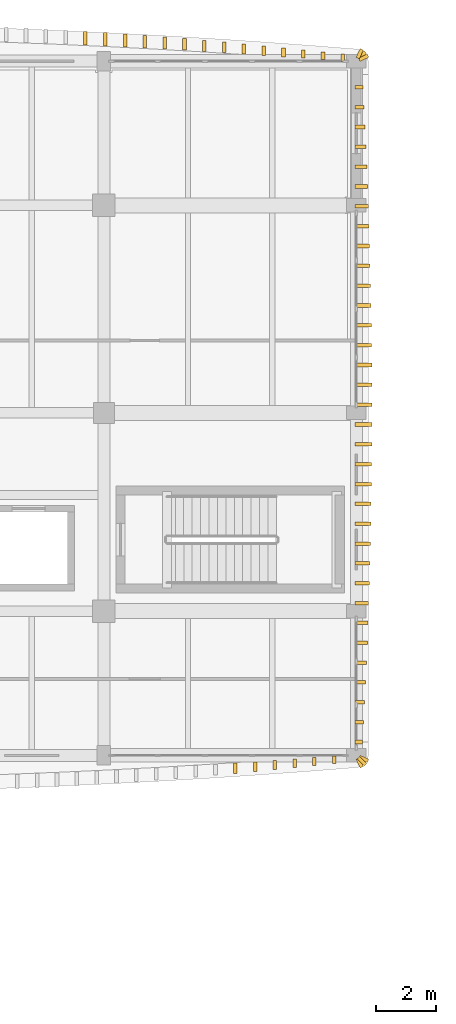
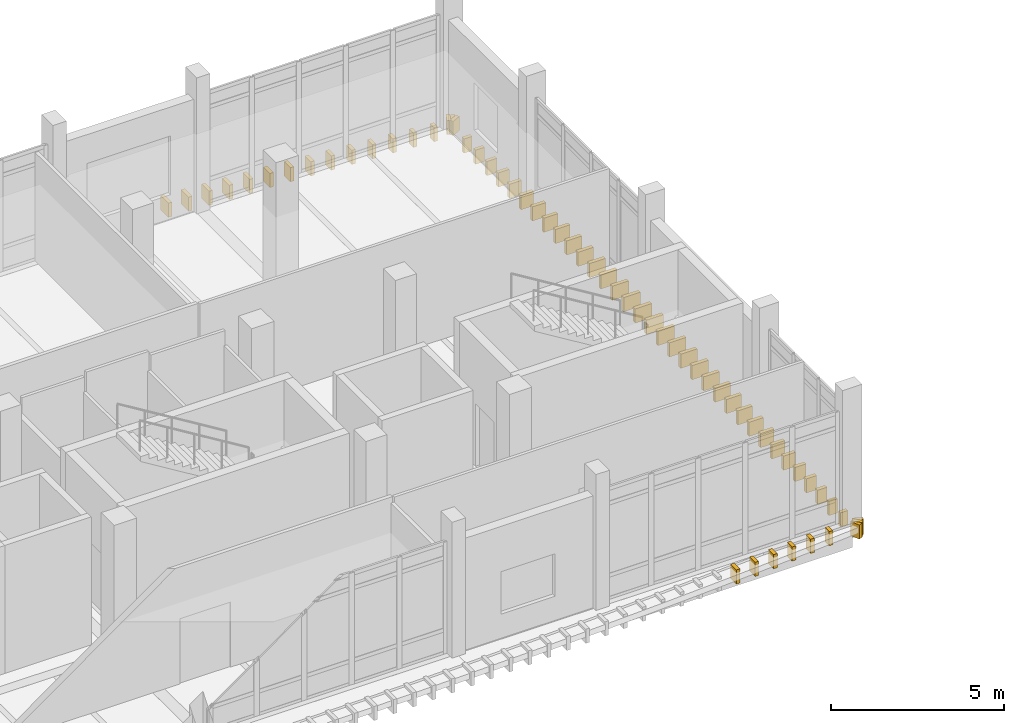
# One storey, part 33 of 37: 60 coverings.
"""IFC4 building model written with IfcOpenShell, lengths in metres."""

import ifcopenshell
import ifcopenshell.guid

model = None  # the IFC model being written
_history = None  # IfcOwnerHistory: only IFC2X3 demands one
_inside = {}  # id of a spatial element -> (the spatial element, [elements in it])
_under = {}  # id of a project, library or spatial element -> (it, [spatial elements below it])
_declared = {}  # id of a project -> (the project, [libraries it declares])
_typed = {}  # id of a type object -> (the type object, [elements of that type])
_made_of = {}  # id of a material, layer set ... -> (it, [elements and type objects made of it])


def new_model(schema):
    """Start an empty IFC model of exactly this schema.

    Asked for "IFC4X3", IfcOpenShell would pick the latest addendum, in which some entities
    have other attributes; the version numbers below select the first issue.
    IFC2X3 requires an IfcOwnerHistory on every rooted entity: one is made here for all.
    """
    global model, _history
    if schema == "IFC4X3":
        model = ifcopenshell.file(schema_version=(4, 3, 0, 0))
    else:
        model = ifcopenshell.file(schema=schema)
    _inside.clear()
    _under.clear()
    _declared.clear()
    _typed.clear()
    _made_of.clear()
    _history = None
    if model.schema == "IFC2X3":
        org = make("IfcOrganization", Name="unknown")
        user = make(
            "IfcPersonAndOrganization",
            ThePerson=make("IfcPerson", FamilyName="unknown"),
            TheOrganization=org,
        )
        app = make(
            "IfcApplication",
            ApplicationDeveloper=org,
            Version="unknown",
            ApplicationFullName="unknown",
            ApplicationIdentifier="unknown",
        )
        _history = make(
            "IfcOwnerHistory",
            OwningUser=user,
            OwningApplication=app,
            ChangeAction="ADDED",
            CreationDate=0,
        )
    return model


def make(cls, **values):
    """One entity of the class cls with the attributes given. An attribute that is None is left unset."""
    return model.create_entity(
        cls, **{name: value for name, value in values.items() if value is not None}
    )


def rooted(cls, **values):
    """An entity with a GlobalId (a new one), such as an element, a storey or a relation."""
    return make(cls, GlobalId=ifcopenshell.guid.new(), OwnerHistory=_history, **values)


def si_unit(unit_type, name, prefix=None):
    """IfcSIUnit, for example si_unit("LENGTHUNIT", "METRE", prefix="MILLI")."""
    return make("IfcSIUnit", UnitType=unit_type, Prefix=prefix, Name=name)


def assignment(units):
    """IfcUnitAssignment: the units of a project."""
    return None if units is None else make("IfcUnitAssignment", Units=units)


def point(xyz):
    """IfcCartesianPoint."""
    return None if xyz is None else make("IfcCartesianPoint", Coordinates=xyz)


def direction(xyz):
    """IfcDirection."""
    return None if xyz is None else make("IfcDirection", DirectionRatios=xyz)


def frame(location, z_axis=None, x_axis=None):
    """IfcAxis2Placement3D, a coordinate frame: its origin and axes. An axis left out is left unset."""
    return make(
        "IfcAxis2Placement3D",
        Location=point(location),
        Axis=direction(z_axis),
        RefDirection=direction(x_axis),
    )


def frame_2d(location, x_axis=None):
    """IfcAxis2Placement2D, a coordinate frame in the plane: its origin and x axis."""
    return make(
        "IfcAxis2Placement2D", Location=point(location), RefDirection=direction(x_axis)
    )


def origin():
    """The frame at (0, 0, 0) with its axes left unset."""
    return frame((0.0, 0.0, 0.0))


def origin_2d():
    """The frame at (0, 0) in the plane with its x axis left unset."""
    return frame_2d((0.0, 0.0))


def place(relative_to, where):
    """IfcLocalPlacement: puts the frame where relative to a parent placement (None: the world)."""
    return make(
        "IfcLocalPlacement", PlacementRelTo=relative_to, RelativePlacement=where
    )


def context(
    kind, dimensions, precision=None, world=None, true_north=None, identifier=None
):
    """IfcGeometricRepresentationContext, for example the 3D "Model" context."""
    return make(
        "IfcGeometricRepresentationContext",
        ContextIdentifier=identifier,
        ContextType=kind,
        CoordinateSpaceDimension=dimensions,
        Precision=precision,
        WorldCoordinateSystem=world,
        TrueNorth=true_north,
    )


def subcontext(parent, identifier, kind, view, scale=None):
    """IfcGeometricRepresentationSubContext, for example "Body" below "Model"."""
    return make(
        "IfcGeometricRepresentationSubContext",
        ContextIdentifier=identifier,
        ContextType=kind,
        ParentContext=parent,
        TargetScale=scale,
        TargetView=view,
    )


def project(units=None, contexts=None):
    """IfcProject with its units and contexts."""
    return rooted(
        "IfcProject",
        Name="project",
        RepresentationContexts=contexts,
        UnitsInContext=assignment(units),
    )


def spatial(cls, under=None, at=None, **own):
    """A site, building, storey or space (cls), placed at a placement, below another one or the project."""
    s = rooted(cls, ObjectPlacement=at, **own)
    if under is not None:
        _under.setdefault(under.id(), (under, []))[1].append(s)
    return s


def profile(cls, at=None, kind="AREA", **sizes):
    """A parametric profile (cls). Its sizes go by their IFC names, for example OverallWidth=200.0."""
    return make(cls, ProfileType=kind, Position=at, **sizes)


def rectangle(**sizes):
    """IfcRectangleProfileDef."""
    return profile("IfcRectangleProfileDef", **sizes)


def extrude(swept, where, along, depth):
    """IfcExtrudedAreaSolid: the profile swept, set in the frame where, extruded along a direction by depth."""
    return make(
        "IfcExtrudedAreaSolid",
        SweptArea=swept,
        Position=where,
        ExtrudedDirection=direction(along),
        Depth=depth,
    )


def shape(context_of_items, identifier, shape_type, items):
    """IfcShapeRepresentation: the items that make up one representation, for example the "Body"."""
    return make(
        "IfcShapeRepresentation",
        ContextOfItems=context_of_items,
        RepresentationIdentifier=identifier,
        RepresentationType=shape_type,
        Items=items,
    )


def material(Name=None, Category=None):
    """IfcMaterial."""
    return make("IfcMaterial", Name=Name, Category=Category)


def layer(
    of_material, thickness, ventilated=None, Name=None, Category=None, Priority=None
):
    """IfcMaterialLayer: one layer of a wall or slab, of a material (None: an air gap)."""
    return make(
        "IfcMaterialLayer",
        Material=of_material,
        LayerThickness=thickness,
        IsVentilated=ventilated,
        Name=Name,
        Category=Category,
        Priority=Priority,
    )


def layer_set(layers, Name=None):
    """IfcMaterialLayerSet."""
    return make("IfcMaterialLayerSet", MaterialLayers=layers, LayerSetName=Name)


def made_of(thing, what):
    """Note that an element or type object is made of a material, layer set ...; save() writes the relation."""
    if what is not None:
        _made_of.setdefault(what.id(), (what, []))[1].append(thing)
    return thing


def type_object(cls, material=None, **own):
    """A type object (cls), such as IfcWallType, which elements share."""
    return made_of(rooted(cls, **own), material)


def element(
    cls,
    number,
    at=None,
    inside=None,
    cuts=None,
    type_object=None,
    material=None,
    context=None,
    identifier="Body",
    shape_type=None,
    held_by="IfcProductDefinitionShape",
    body=None,
    shapes=None,
    **own,
):
    """One element of the class cls, such as IfcWall. Its Tag is "e" and its number.

    at: its placement. inside: the storey or other place that contains it. cuts: it is an
    opening in that element (IfcRelVoidsElement). A single representation is given by context,
    identifier, shape_type and body (its items); several are given by shapes. held_by: the class
    of the entity that holds the representations. save() writes the other relations.
    """
    e = rooted(cls, Tag="e%d" % number, ObjectPlacement=at, **own)
    if body is not None:
        shapes = [shape(context, identifier, shape_type, body)]
    if shapes is not None:
        e.Representation = make(held_by, Representations=shapes)
    if inside is not None:
        _inside.setdefault(inside.id(), (inside, []))[1].append(e)
    if cuts is not None:
        rooted(
            "IfcRelVoidsElement", RelatingBuildingElement=cuts, RelatedOpeningElement=e
        )
    if type_object is not None:
        _typed.setdefault(type_object.id(), (type_object, []))[1].append(e)
    return made_of(e, material)


def aggregate(whole, parts):
    """IfcRelAggregates: a whole, such as a stair, and the parts it consists of."""
    return rooted("IfcRelAggregates", RelatingObject=whole, RelatedObjects=parts)


def save(model, path):
    """Write the relations noted so far, then the file.

    IfcRelAggregates (storeys below a building ...), IfcRelContainedInSpatialStructure (elements
    in a storey), IfcRelDefinesByType, IfcRelAssociatesMaterial and IfcRelDeclares: one each for
    every whole, place, type object, material and project.
    """
    for whole, parts in _under.values():
        aggregate(whole, parts)
    for where, things in _inside.values():
        rooted(
            "IfcRelContainedInSpatialStructure",
            RelatedElements=things,
            RelatingStructure=where,
        )
    for kind, things in _typed.values():
        rooted("IfcRelDefinesByType", RelatedObjects=things, RelatingType=kind)
    for what, things in _made_of.values():
        rooted("IfcRelAssociatesMaterial", RelatedObjects=things, RelatingMaterial=what)
    for by, libraries in _declared.values():
        rooted("IfcRelDeclares", RelatingContext=by, RelatedDefinitions=libraries)
    model.write(path)


model = new_model("IFC4")

# Units and contexts
model_context = context("Model", 3, precision=1e-05, world=origin(), true_north=direction((0.0, 1.0)))
body_context = subcontext(model_context, "Body", "Model", "MODEL_VIEW")
ifc_project = project(units=[si_unit("LENGTHUNIT", "METRE"), si_unit("AREAUNIT", "SQUARE_METRE"), si_unit("VOLUMEUNIT", "CUBIC_METRE"), si_unit("PLANEANGLEUNIT", "RADIAN"), si_unit("MASSUNIT", "GRAM", prefix="KILO")], contexts=[model_context])

# Site, building, storey
site_placement = place(None, origin())
site = spatial("IfcSite", under=ifc_project, at=site_placement, CompositionType="ELEMENT")
building_placement = place(site_placement, origin())
building = spatial("IfcBuilding", under=site, at=building_placement, Name="Dornvale Research Institute", CompositionType="ELEMENT")
storey_placement = place(building_placement, frame((0.0, 0.0, 29.39990234375)))
storey = spatial("IfcBuildingStorey", under=building, at=storey_placement, Name="L06", CompositionType="ELEMENT", Elevation=29.39990234375)

# Coverings
ifc_material = material(Name="Polychrome Glazed Terracotta Visor Rib Ceramic", Category="masonry")
ifc_layer = layer(ifc_material, 0.1201171875)
ifc_layer_set = layer_set([ifc_layer], Name="Polychrome Glazed Terracotta Visor Rib Ceramic")
covering_type = type_object("IfcCoveringType", Name="Covering_VisorBlade_Main", PredefinedType="CLADDING", material=ifc_layer_set)
covering_1_placement = place(storey_placement, frame((37.37451171875, 98.572998046875, -0.489990234375), z_axis=(0.0, 0.0, 1.0), x_axis=(0.0, 1.0, 0.0)))
element("IfcCovering", 1, at=covering_1_placement, inside=storey, type_object=covering_type, Name="L06 V5 canted glazed terracotta visor blade #1047", PredefinedType="CLADDING", context=body_context, shape_type="SweptSolid", body=[
    extrude(rectangle(XDim=0.340087890625, YDim=0.1201171875, at=origin_2d()), origin(), (0.0, 0.0, 1.0), 0.5),
])
covering_2_placement = place(storey_placement, frame((38.033203125, 98.625244140625, -0.489990234375), z_axis=(0.0, 0.0, 1.0), x_axis=(0.0, 1.0, 0.0)))
element("IfcCovering", 2, at=covering_2_placement, inside=storey, type_object=covering_type, Name="L06 V5 canted glazed terracotta visor blade #1048", PredefinedType="CLADDING", context=body_context, shape_type="SweptSolid", body=[
    extrude(rectangle(XDim=0.322021484375, YDim=0.1201171875, at=origin_2d()), origin(), (0.0, 0.0, 1.0), 0.5),
])
covering_3_placement = place(storey_placement, frame((38.69140625, 98.681884765625, -0.489990234375), z_axis=(0.0, 0.0, 1.0), x_axis=(0.0, 1.0, 0.0)))
element("IfcCovering", 3, at=covering_3_placement, inside=storey, type_object=covering_type, Name="L06 V5 canted glazed terracotta visor blade #1049", PredefinedType="CLADDING", context=body_context, shape_type="SweptSolid", body=[
    extrude(rectangle(XDim=0.302978515625, YDim=0.1201171875, at=origin_2d()), origin(), (0.0, 0.0, 1.0), 0.5),
])
covering_4_placement = place(storey_placement, frame((39.349853515625, 98.739013671875, -0.489990234375), z_axis=(0.0, 0.0, 1.0), x_axis=(0.0, 1.0, 0.0)))
element("IfcCovering", 4, at=covering_4_placement, inside=storey, type_object=covering_type, Name="L06 V5 canted glazed terracotta visor blade #1050", PredefinedType="CLADDING", context=body_context, shape_type="SweptSolid", body=[
    extrude(rectangle(XDim=0.283935546875, YDim=0.1201171875, at=origin_2d()), origin(), (0.0, 0.0, 1.0), 0.5),
])
covering_5_placement = place(storey_placement, frame((40.0078125, 98.798095703125, -0.489990234375), z_axis=(0.0, 0.0, 1.0), x_axis=(0.0, 1.0, 0.0)))
element("IfcCovering", 5, at=covering_5_placement, inside=storey, type_object=covering_type, Name="L06 V5 canted glazed terracotta visor blade #1051", PredefinedType="CLADDING", context=body_context, shape_type="SweptSolid", body=[
    extrude(rectangle(XDim=0.263916015625, YDim=0.1201171875, at=origin_2d()), origin(), (0.0, 0.0, 1.0), 0.5),
])
covering_6_placement = place(storey_placement, frame((40.666015625, 98.860107421875, -0.489990234375), z_axis=(0.0, 0.0, 1.0), x_axis=(0.0, 1.0, 0.0)))
element("IfcCovering", 6, at=covering_6_placement, inside=storey, type_object=covering_type, Name="L06 V5 canted glazed terracotta visor blade #1052", PredefinedType="CLADDING", context=body_context, shape_type="SweptSolid", body=[
    extrude(rectangle(XDim=0.243896484375, YDim=0.1201171875, at=origin_2d()), origin(), (0.0, 0.0, 1.0), 0.5),
])
covering_7_placement = place(storey_placement, frame((40.951416015625, 122.212890625, -0.489990234375), z_axis=(0.0, 0.0, 1.0), x_axis=(0.0, 1.0, 0.0)))
element("IfcCovering", 7, at=covering_7_placement, inside=storey, type_object=covering_type, Name="L06 V5 canted glazed terracotta visor blade #1053", PredefinedType="CLADDING", context=body_context, shape_type="SweptSolid", body=[
    extrude(rectangle(XDim=0.235107421875, YDim=0.1201171875, at=origin_2d()), origin(), (0.0, 0.0, 1.0), 0.5),
])
covering_8_placement = place(storey_placement, frame((40.29345703125, 122.27490234375, -0.489990234375), z_axis=(0.0, 0.0, 1.0), x_axis=(0.0, 1.0, 0.0)))
element("IfcCovering", 8, at=covering_8_placement, inside=storey, type_object=covering_type, Name="L06 V5 canted glazed terracotta visor blade #1054", PredefinedType="CLADDING", context=body_context, shape_type="SweptSolid", body=[
    extrude(rectangle(XDim=0.2548828125, YDim=0.1201171875, at=origin_2d()), origin(), (0.0, 0.0, 1.0), 0.5),
])
covering_9_placement = place(storey_placement, frame((39.635498046875, 122.33642578125, -0.489990234375), z_axis=(0.0, 0.0, 1.0), x_axis=(0.0, 1.0, 0.0)))
element("IfcCovering", 9, at=covering_9_placement, inside=storey, type_object=covering_type, Name="L06 V5 canted glazed terracotta visor blade #1055", PredefinedType="CLADDING", context=body_context, shape_type="SweptSolid", body=[
    extrude(rectangle(XDim=0.27587890625, YDim=0.1201171875, at=origin_2d()), origin(), (0.0, 0.0, 1.0), 0.5),
])
covering_10_placement = place(storey_placement, frame((38.97705078125, 122.3935546875, -0.489990234375), z_axis=(0.0, 0.0, 1.0), x_axis=(0.0, 1.0, 0.0)))
element("IfcCovering", 10, at=covering_10_placement, inside=storey, type_object=covering_type, Name="L06 V5 canted glazed terracotta visor blade #1056", PredefinedType="CLADDING", context=body_context, shape_type="SweptSolid", body=[
    extrude(rectangle(XDim=0.294921875, YDim=0.1201171875, at=origin_2d()), origin(), (0.0, 0.0, 1.0), 0.5),
])
covering_11_placement = place(storey_placement, frame((38.31884765625, 122.450439453125, -0.489990234375), z_axis=(0.0, 0.0, 1.0), x_axis=(0.0, 1.0, 0.0)))
element("IfcCovering", 11, at=covering_11_placement, inside=storey, type_object=covering_type, Name="L06 V5 canted glazed terracotta visor blade #1057", PredefinedType="CLADDING", context=body_context, shape_type="SweptSolid", body=[
    extrude(rectangle(XDim=0.31396484375, YDim=0.1201171875, at=origin_2d()), origin(), (0.0, 0.0, 1.0), 0.5),
])
covering_12_placement = place(storey_placement, frame((37.660400390625, 122.50439453125, -0.489990234375), z_axis=(0.0, 0.0, 1.0), x_axis=(0.0, 1.0, 0.0)))
element("IfcCovering", 12, at=covering_12_placement, inside=storey, type_object=covering_type, Name="L06 V5 canted glazed terracotta visor blade #1058", PredefinedType="CLADDING", context=body_context, shape_type="SweptSolid", body=[
    extrude(rectangle(XDim=0.33203125, YDim=0.1201171875, at=origin_2d()), origin(), (0.0, 0.0, 1.0), 0.5),
])
covering_13_placement = place(storey_placement, frame((37.001708984375, 122.55615234375, -0.489990234375), z_axis=(0.0, 0.0, 1.0), x_axis=(0.0, 1.0, 0.0)))
element("IfcCovering", 13, at=covering_13_placement, inside=storey, type_object=covering_type, Name="L06 V5 canted glazed terracotta visor blade #1059", PredefinedType="CLADDING", context=body_context, shape_type="SweptSolid", body=[
    extrude(rectangle(XDim=0.34912109375, YDim=0.1201171875, at=origin_2d()), origin(), (0.0, 0.0, 1.0), 0.5),
])
covering_14_placement = place(storey_placement, frame((36.34326171875, 122.607421875, -0.489990234375), z_axis=(0.0, 0.0, 1.0), x_axis=(0.0, 1.0, 0.0)))
element("IfcCovering", 14, at=covering_14_placement, inside=storey, type_object=covering_type, Name="L06 V5 canted glazed terracotta visor blade #1060", PredefinedType="CLADDING", context=body_context, shape_type="SweptSolid", body=[
    extrude(rectangle(XDim=0.365966796875, YDim=0.1201171875, at=origin_2d()), origin(), (0.0, 0.0, 1.0), 0.5),
])
covering_15_placement = place(storey_placement, frame((35.684326171875, 122.654296875, -0.489990234375), z_axis=(0.0, 0.0, 1.0), x_axis=(0.0, 1.0, 0.0)))
element("IfcCovering", 15, at=covering_15_placement, inside=storey, type_object=covering_type, Name="L06 V5 canted glazed terracotta visor blade #1061", PredefinedType="CLADDING", context=body_context, shape_type="SweptSolid", body=[
    extrude(rectangle(XDim=0.382080078125, YDim=0.1201171875, at=origin_2d()), origin(), (0.0, 0.0, 1.0), 0.5),
])
covering_16_placement = place(storey_placement, frame((35.025390625, 122.70068359375, -0.489990234375), z_axis=(0.0, 0.0, 1.0), x_axis=(0.0, 1.0, 0.0)))
element("IfcCovering", 16, at=covering_16_placement, inside=storey, type_object=covering_type, Name="L06 V5 canted glazed terracotta visor blade #1062", PredefinedType="CLADDING", context=body_context, shape_type="SweptSolid", body=[
    extrude(rectangle(XDim=0.39697265625, YDim=0.1201171875, at=origin_2d()), origin(), (0.0, 0.0, 1.0), 0.5),
])
covering_17_placement = place(storey_placement, frame((34.366455078125, 122.744384765625, -0.489990234375), z_axis=(0.0, 0.0, 1.0), x_axis=(0.0, 1.0, 0.0)))
element("IfcCovering", 17, at=covering_17_placement, inside=storey, type_object=covering_type, Name="L06 V5 canted glazed terracotta visor blade #1063", PredefinedType="CLADDING", context=body_context, shape_type="SweptSolid", body=[
    extrude(rectangle(XDim=0.412109375, YDim=0.1201171875, at=origin_2d()), origin(), (0.0, 0.0, 1.0), 0.5),
])
covering_18_placement = place(storey_placement, frame((33.70751953125, 122.7861328125, -0.489990234375), z_axis=(0.0, 0.0, 1.0), x_axis=(0.0, 1.0, 0.0)))
element("IfcCovering", 18, at=covering_18_placement, inside=storey, type_object=covering_type, Name="L06 V5 canted glazed terracotta visor blade #1064", PredefinedType="CLADDING", context=body_context, shape_type="SweptSolid", body=[
    extrude(rectangle(XDim=0.426025390625, YDim=0.1201171875, at=origin_2d()), origin(), (0.0, 0.0, 1.0), 0.5),
])
covering_19_placement = place(storey_placement, frame((33.04833984375, 122.826904296875, -0.489990234375), z_axis=(0.0, 0.0, 1.0), x_axis=(0.0, 1.0, 0.0)))
element("IfcCovering", 19, at=covering_19_placement, inside=storey, type_object=covering_type, Name="L06 V5 canted glazed terracotta visor blade #1065", PredefinedType="CLADDING", context=body_context, shape_type="SweptSolid", body=[
    extrude(rectangle(XDim=0.43896484375, YDim=0.1201171875, at=origin_2d()), origin(), (0.0, 0.0, 1.0), 0.5),
])
covering_20_placement = place(storey_placement, frame((32.388916015625, 122.863525390625, -0.489990234375), z_axis=(0.0, 0.0, 1.0), x_axis=(0.0, 1.0, 0.0)))
element("IfcCovering", 20, at=covering_20_placement, inside=storey, type_object=covering_type, Name="L06 V5 canted glazed terracotta visor blade #1066", PredefinedType="CLADDING", context=body_context, shape_type="SweptSolid", body=[
    extrude(rectangle(XDim=0.451904296875, YDim=0.1201171875, at=origin_2d()), origin(), (0.0, 0.0, 1.0), 0.5),
])
covering_21_placement = place(storey_placement, frame((41.48291015625, 99.449951171875, -0.489990234375), z_axis=(0.0, 0.0, 1.0), x_axis=(1.0, 0.0, 0.0)))
element("IfcCovering", 21, at=covering_21_placement, inside=storey, type_object=covering_type, Name="L06 V5 canted glazed terracotta visor blade #1115", PredefinedType="CLADDING", context=body_context, shape_type="SweptSolid", body=[
    extrude(rectangle(XDim=0.24609375, YDim=0.1201171875, at=origin_2d()), origin(), (0.0, 0.0, 1.0), 0.5),
])
covering_22_placement = place(storey_placement, frame((41.5009765625, 100.110107421875, -0.489990234375), z_axis=(0.0, 0.0, 1.0), x_axis=(1.0, 0.0, 0.0)))
element("IfcCovering", 22, at=covering_22_placement, inside=storey, type_object=covering_type, Name="L06 V5 canted glazed terracotta visor blade #1116", PredefinedType="CLADDING", context=body_context, shape_type="SweptSolid", body=[
    extrude(rectangle(XDim=0.281982421875, YDim=0.1201171875, at=origin_2d()), origin(), (0.0, 0.0, 1.0), 0.5),
])
covering_23_placement = place(storey_placement, frame((41.51806640625, 100.77001953125, -0.489990234375), z_axis=(0.0, 0.0, 1.0), x_axis=(1.0, 0.0, 0.0)))
element("IfcCovering", 23, at=covering_23_placement, inside=storey, type_object=covering_type, Name="L06 V5 canted glazed terracotta visor blade #1117", PredefinedType="CLADDING", context=body_context, shape_type="SweptSolid", body=[
    extrude(rectangle(XDim=0.31591796875, YDim=0.1201171875, at=origin_2d()), origin(), (0.0, 0.0, 1.0), 0.5),
])
covering_24_placement = place(storey_placement, frame((41.533935546875, 101.429931640625, -0.489990234375), z_axis=(0.0, 0.0, 1.0), x_axis=(1.0, 0.0, 0.0)))
element("IfcCovering", 24, at=covering_24_placement, inside=storey, type_object=covering_type, Name="L06 V5 canted glazed terracotta visor blade #1118", PredefinedType="CLADDING", context=body_context, shape_type="SweptSolid", body=[
    extrude(rectangle(XDim=0.347900390625, YDim=0.1201171875, at=origin_2d()), origin(), (0.0, 0.0, 1.0), 0.5),
])
covering_25_placement = place(storey_placement, frame((41.549072265625, 102.090087890625, -0.489990234375), z_axis=(0.0, 0.0, 1.0), x_axis=(1.0, 0.0, 0.0)))
element("IfcCovering", 25, at=covering_25_placement, inside=storey, type_object=covering_type, Name="L06 V5 canted glazed terracotta visor blade #1119", PredefinedType="CLADDING", context=body_context, shape_type="SweptSolid", body=[
    extrude(rectangle(XDim=0.3779296875, YDim=0.1201171875, at=origin_2d()), origin(), (0.0, 0.0, 1.0), 0.5),
])
covering_26_placement = place(storey_placement, frame((41.5625, 102.75, -0.489990234375), z_axis=(0.0, 0.0, 1.0), x_axis=(1.0, 0.0, 0.0)))
element("IfcCovering", 26, at=covering_26_placement, inside=storey, type_object=covering_type, Name="L06 V5 canted glazed terracotta visor blade #1120", PredefinedType="CLADDING", context=body_context, shape_type="SweptSolid", body=[
    extrude(rectangle(XDim=0.405029296875, YDim=0.1201171875, at=origin_2d()), origin(), (0.0, 0.0, 1.0), 0.5),
])
covering_27_placement = place(storey_placement, frame((41.574951171875, 103.409912109375, -0.489990234375), z_axis=(0.0, 0.0, 1.0), x_axis=(1.0, 0.0, 0.0)))
element("IfcCovering", 27, at=covering_27_placement, inside=storey, type_object=covering_type, Name="L06 V5 canted glazed terracotta visor blade #1121", PredefinedType="CLADDING", context=body_context, shape_type="SweptSolid", body=[
    extrude(rectangle(XDim=0.429931640625, YDim=0.1201171875, at=origin_2d()), origin(), (0.0, 0.0, 1.0), 0.5),
])
covering_28_placement = place(storey_placement, frame((41.58642578125, 104.070068359375, -0.489990234375), z_axis=(0.0, 0.0, 1.0), x_axis=(1.0, 0.0, 0.0)))
element("IfcCovering", 28, at=covering_28_placement, inside=storey, type_object=covering_type, Name="L06 V5 canted glazed terracotta visor blade #1122", PredefinedType="CLADDING", context=body_context, shape_type="SweptSolid", body=[
    extrude(rectangle(XDim=0.452880859375, YDim=0.1201171875, at=origin_2d()), origin(), (0.0, 0.0, 1.0), 0.5),
])
covering_29_placement = place(storey_placement, frame((41.596923828125, 104.72998046875, -0.489990234375), z_axis=(0.0, 0.0, 1.0), x_axis=(1.0, 0.0, 0.0)))
element("IfcCovering", 29, at=covering_29_placement, inside=storey, type_object=covering_type, Name="L06 V5 canted glazed terracotta visor blade #1123", PredefinedType="CLADDING", context=body_context, shape_type="SweptSolid", body=[
    extrude(rectangle(XDim=0.47412109375, YDim=0.1201171875, at=origin_2d()), origin(), (0.0, 0.0, 1.0), 0.5),
])
covering_30_placement = place(storey_placement, frame((41.60595703125, 105.389892578125, -0.489990234375), z_axis=(0.0, 0.0, 1.0), x_axis=(1.0, 0.0, 0.0)))
element("IfcCovering", 30, at=covering_30_placement, inside=storey, type_object=covering_type, Name="L06 V5 canted glazed terracotta visor blade #1124", PredefinedType="CLADDING", context=body_context, shape_type="SweptSolid", body=[
    extrude(rectangle(XDim=0.491943359375, YDim=0.1201171875, at=origin_2d()), origin(), (0.0, 0.0, 1.0), 0.5),
])
covering_31_placement = place(storey_placement, frame((41.614013671875, 106.050048828125, -0.489990234375), z_axis=(0.0, 0.0, 1.0), x_axis=(1.0, 0.0, 0.0)))
element("IfcCovering", 31, at=covering_31_placement, inside=storey, type_object=covering_type, Name="L06 V5 canted glazed terracotta visor blade #1125", PredefinedType="CLADDING", context=body_context, shape_type="SweptSolid", body=[
    extrude(rectangle(XDim=0.508056640625, YDim=0.1201171875, at=origin_2d()), origin(), (0.0, 0.0, 1.0), 0.5),
])
covering_32_placement = place(storey_placement, frame((41.62109375, 106.7099609375, -0.489990234375), z_axis=(0.0, 0.0, 1.0), x_axis=(1.0, 0.0, 0.0)))
element("IfcCovering", 32, at=covering_32_placement, inside=storey, type_object=covering_type, Name="L06 V5 canted glazed terracotta visor blade #1126", PredefinedType="CLADDING", context=body_context, shape_type="SweptSolid", body=[
    extrude(rectangle(XDim=0.52197265625, YDim=0.1201171875, at=origin_2d()), origin(), (0.0, 0.0, 1.0), 0.5),
])
covering_33_placement = place(storey_placement, frame((41.626953125, 107.3701171875, -0.489990234375), z_axis=(0.0, 0.0, 1.0), x_axis=(1.0, 0.0, 0.0)))
element("IfcCovering", 33, at=covering_33_placement, inside=storey, type_object=covering_type, Name="L06 V5 canted glazed terracotta visor blade #1127", PredefinedType="CLADDING", context=body_context, shape_type="SweptSolid", body=[
    extrude(rectangle(XDim=0.533935546875, YDim=0.1201171875, at=origin_2d()), origin(), (0.0, 0.0, 1.0), 0.5),
])
covering_34_placement = place(storey_placement, frame((41.632080078125, 108.030029296875, -0.489990234375), z_axis=(0.0, 0.0, 1.0), x_axis=(1.0, 0.0, 0.0)))
element("IfcCovering", 34, at=covering_34_placement, inside=storey, type_object=covering_type, Name="L06 V5 canted glazed terracotta visor blade #1128", PredefinedType="CLADDING", context=body_context, shape_type="SweptSolid", body=[
    extrude(rectangle(XDim=0.5439453125, YDim=0.1201171875, at=origin_2d()), origin(), (0.0, 0.0, 1.0), 0.5),
])
covering_35_placement = place(storey_placement, frame((41.635498046875, 108.68994140625, -0.489990234375), z_axis=(0.0, 0.0, 1.0), x_axis=(1.0, 0.0, 0.0)))
element("IfcCovering", 35, at=covering_35_placement, inside=storey, type_object=covering_type, Name="L06 V5 canted glazed terracotta visor blade #1129", PredefinedType="CLADDING", context=body_context, shape_type="SweptSolid", body=[
    extrude(rectangle(XDim=0.551025390625, YDim=0.1201171875, at=origin_2d()), origin(), (0.0, 0.0, 1.0), 0.5),
])
covering_36_placement = place(storey_placement, frame((41.637939453125, 109.35009765625, -0.489990234375), z_axis=(0.0, 0.0, 1.0), x_axis=(1.0, 0.0, 0.0)))
element("IfcCovering", 36, at=covering_36_placement, inside=storey, type_object=covering_type, Name="L06 V5 canted glazed terracotta visor blade #1130", PredefinedType="CLADDING", context=body_context, shape_type="SweptSolid", body=[
    extrude(rectangle(XDim=0.555908203125, YDim=0.1201171875, at=origin_2d()), origin(), (0.0, 0.0, 1.0), 0.5),
])
covering_37_placement = place(storey_placement, frame((41.639404296875, 110.010009765625, -0.489990234375), z_axis=(0.0, 0.0, 1.0), x_axis=(1.0, 0.0, 0.0)))
element("IfcCovering", 37, at=covering_37_placement, inside=storey, type_object=covering_type, Name="L06 V5 canted glazed terracotta visor blade #1131", PredefinedType="CLADDING", context=body_context, shape_type="SweptSolid", body=[
    extrude(rectangle(XDim=0.55908203125, YDim=0.1201171875, at=origin_2d()), origin(), (0.0, 0.0, 1.0), 0.5),
])
covering_38_placement = place(storey_placement, frame((41.639892578125, 110.669921875, -0.489990234375), z_axis=(0.0, 0.0, 1.0), x_axis=(1.0, 0.0, 0.0)))
element("IfcCovering", 38, at=covering_38_placement, inside=storey, type_object=covering_type, Name="L06 V5 canted glazed terracotta visor blade #1132", PredefinedType="CLADDING", context=body_context, shape_type="SweptSolid", body=[
    extrude(rectangle(XDim=0.56005859375, YDim=0.1201171875, at=origin_2d()), origin(), (0.0, 0.0, 1.0), 0.5),
])
covering_39_placement = place(storey_placement, frame((41.638916015625, 111.330078125, -0.489990234375), z_axis=(0.0, 0.0, 1.0), x_axis=(1.0, 0.0, 0.0)))
element("IfcCovering", 39, at=covering_39_placement, inside=storey, type_object=covering_type, Name="L06 V5 canted glazed terracotta visor blade #1133", PredefinedType="CLADDING", context=body_context, shape_type="SweptSolid", body=[
    extrude(rectangle(XDim=0.55810546875, YDim=0.1201171875, at=origin_2d()), origin(), (0.0, 0.0, 1.0), 0.5),
])
covering_40_placement = place(storey_placement, frame((41.637451171875, 111.989990234375, -0.489990234375), z_axis=(0.0, 0.0, 1.0), x_axis=(1.0, 0.0, 0.0)))
element("IfcCovering", 40, at=covering_40_placement, inside=storey, type_object=covering_type, Name="L06 V5 canted glazed terracotta visor blade #1134", PredefinedType="CLADDING", context=body_context, shape_type="SweptSolid", body=[
    extrude(rectangle(XDim=0.554931640625, YDim=0.1201171875, at=origin_2d()), origin(), (0.0, 0.0, 1.0), 0.5),
])
covering_41_placement = place(storey_placement, frame((41.634521484375, 112.64990234375, -0.489990234375), z_axis=(0.0, 0.0, 1.0), x_axis=(1.0, 0.0, 0.0)))
element("IfcCovering", 41, at=covering_41_placement, inside=storey, type_object=covering_type, Name="L06 V5 canted glazed terracotta visor blade #1135", PredefinedType="CLADDING", context=body_context, shape_type="SweptSolid", body=[
    extrude(rectangle(XDim=0.549072265625, YDim=0.1201171875, at=origin_2d()), origin(), (0.0, 0.0, 1.0), 0.5),
])
covering_42_placement = place(storey_placement, frame((41.630615234375, 113.31005859375, -0.489990234375), z_axis=(0.0, 0.0, 1.0), x_axis=(1.0, 0.0, 0.0)))
element("IfcCovering", 42, at=covering_42_placement, inside=storey, type_object=covering_type, Name="L06 V5 canted glazed terracotta visor blade #1136", PredefinedType="CLADDING", context=body_context, shape_type="SweptSolid", body=[
    extrude(rectangle(XDim=0.541015625, YDim=0.1201171875, at=origin_2d()), origin(), (0.0, 0.0, 1.0), 0.5),
])
covering_43_placement = place(storey_placement, frame((41.625, 113.969970703125, -0.489990234375), z_axis=(0.0, 0.0, 1.0), x_axis=(1.0, 0.0, 0.0)))
element("IfcCovering", 43, at=covering_43_placement, inside=storey, type_object=covering_type, Name="L06 V5 canted glazed terracotta visor blade #1137", PredefinedType="CLADDING", context=body_context, shape_type="SweptSolid", body=[
    extrude(rectangle(XDim=0.530029296875, YDim=0.1201171875, at=origin_2d()), origin(), (0.0, 0.0, 1.0), 0.5),
])
covering_44_placement = place(storey_placement, frame((41.618896484375, 114.6298828125, -0.489990234375), z_axis=(0.0, 0.0, 1.0), x_axis=(1.0, 0.0, 0.0)))
element("IfcCovering", 44, at=covering_44_placement, inside=storey, type_object=covering_type, Name="L06 V5 canted glazed terracotta visor blade #1138", PredefinedType="CLADDING", context=body_context, shape_type="SweptSolid", body=[
    extrude(rectangle(XDim=0.51806640625, YDim=0.1201171875, at=origin_2d()), origin(), (0.0, 0.0, 1.0), 0.5),
])
covering_45_placement = place(storey_placement, frame((41.611572265625, 115.2900390625, -0.489990234375), z_axis=(0.0, 0.0, 1.0), x_axis=(1.0, 0.0, 0.0)))
element("IfcCovering", 45, at=covering_45_placement, inside=storey, type_object=covering_type, Name="L06 V5 canted glazed terracotta visor blade #1139", PredefinedType="CLADDING", context=body_context, shape_type="SweptSolid", body=[
    extrude(rectangle(XDim=0.5029296875, YDim=0.1201171875, at=origin_2d()), origin(), (0.0, 0.0, 1.0), 0.5),
])
covering_46_placement = place(storey_placement, frame((41.60302734375, 115.949951171875, -0.489990234375), z_axis=(0.0, 0.0, 1.0), x_axis=(1.0, 0.0, 0.0)))
element("IfcCovering", 46, at=covering_46_placement, inside=storey, type_object=covering_type, Name="L06 V5 canted glazed terracotta visor blade #1140", PredefinedType="CLADDING", context=body_context, shape_type="SweptSolid", body=[
    extrude(rectangle(XDim=0.486083984375, YDim=0.1201171875, at=origin_2d()), origin(), (0.0, 0.0, 1.0), 0.5),
])
covering_47_placement = place(storey_placement, frame((41.593017578125, 116.610107421875, -0.489990234375), z_axis=(0.0, 0.0, 1.0), x_axis=(1.0, 0.0, 0.0)))
element("IfcCovering", 47, at=covering_47_placement, inside=storey, type_object=covering_type, Name="L06 V5 canted glazed terracotta visor blade #1141", PredefinedType="CLADDING", context=body_context, shape_type="SweptSolid", body=[
    extrude(rectangle(XDim=0.466064453125, YDim=0.1201171875, at=origin_2d()), origin(), (0.0, 0.0, 1.0), 0.5),
])
covering_48_placement = place(storey_placement, frame((41.58251953125, 117.27001953125, -0.489990234375), z_axis=(0.0, 0.0, 1.0), x_axis=(1.0, 0.0, 0.0)))
element("IfcCovering", 48, at=covering_48_placement, inside=storey, type_object=covering_type, Name="L06 V5 canted glazed terracotta visor blade #1142", PredefinedType="CLADDING", context=body_context, shape_type="SweptSolid", body=[
    extrude(rectangle(XDim=0.445068359375, YDim=0.1201171875, at=origin_2d()), origin(), (0.0, 0.0, 1.0), 0.5),
])
covering_49_placement = place(storey_placement, frame((41.570556640625, 117.929931640625, -0.489990234375), z_axis=(0.0, 0.0, 1.0), x_axis=(1.0, 0.0, 0.0)))
element("IfcCovering", 49, at=covering_49_placement, inside=storey, type_object=covering_type, Name="L06 V5 canted glazed terracotta visor blade #1143", PredefinedType="CLADDING", context=body_context, shape_type="SweptSolid", body=[
    extrude(rectangle(XDim=0.4208984375, YDim=0.1201171875, at=origin_2d()), origin(), (0.0, 0.0, 1.0), 0.5),
])
covering_50_placement = place(storey_placement, frame((41.5576171875, 118.590087890625, -0.489990234375), z_axis=(0.0, 0.0, 1.0), x_axis=(1.0, 0.0, 0.0)))
element("IfcCovering", 50, at=covering_50_placement, inside=storey, type_object=covering_type, Name="L06 V5 canted glazed terracotta visor blade #1144", PredefinedType="CLADDING", context=body_context, shape_type="SweptSolid", body=[
    extrude(rectangle(XDim=0.39501953125, YDim=0.1201171875, at=origin_2d()), origin(), (0.0, 0.0, 1.0), 0.5),
])
covering_51_placement = place(storey_placement, frame((41.54345703125, 119.25, -0.489990234375), z_axis=(0.0, 0.0, 1.0), x_axis=(1.0, 0.0, 0.0)))
element("IfcCovering", 51, at=covering_51_placement, inside=storey, type_object=covering_type, Name="L06 V5 canted glazed terracotta visor blade #1145", PredefinedType="CLADDING", context=body_context, shape_type="SweptSolid", body=[
    extrude(rectangle(XDim=0.366943359375, YDim=0.1201171875, at=origin_2d()), origin(), (0.0, 0.0, 1.0), 0.5),
])
covering_52_placement = place(storey_placement, frame((41.528564453125, 119.909912109375, -0.489990234375), z_axis=(0.0, 0.0, 1.0), x_axis=(1.0, 0.0, 0.0)))
element("IfcCovering", 52, at=covering_52_placement, inside=storey, type_object=covering_type, Name="L06 V5 canted glazed terracotta visor blade #1146", PredefinedType="CLADDING", context=body_context, shape_type="SweptSolid", body=[
    extrude(rectangle(XDim=0.3369140625, YDim=0.1201171875, at=origin_2d()), origin(), (0.0, 0.0, 1.0), 0.5),
])
covering_53_placement = place(storey_placement, frame((41.511962890625, 120.570068359375, -0.489990234375), z_axis=(0.0, 0.0, 1.0), x_axis=(1.0, 0.0, 0.0)))
element("IfcCovering", 53, at=covering_53_placement, inside=storey, type_object=covering_type, Name="L06 V5 canted glazed terracotta visor blade #1147", PredefinedType="CLADDING", context=body_context, shape_type="SweptSolid", body=[
    extrude(rectangle(XDim=0.303955078125, YDim=0.1201171875, at=origin_2d()), origin(), (0.0, 0.0, 1.0), 0.5),
])
covering_54_placement = place(storey_placement, frame((41.494384765625, 121.22998046875, -0.489990234375), z_axis=(0.0, 0.0, 1.0), x_axis=(1.0, 0.0, 0.0)))
element("IfcCovering", 54, at=covering_54_placement, inside=storey, type_object=covering_type, Name="L06 V5 canted glazed terracotta visor blade #1148", PredefinedType="CLADDING", context=body_context, shape_type="SweptSolid", body=[
    extrude(rectangle(XDim=0.26904296875, YDim=0.1201171875, at=origin_2d()), origin(), (0.0, 0.0, 1.0), 0.5),
])
for number, where, z_axis, x_axis, name in (
    (55, (41.51416015625, 98.75537109375, -0.489990234375), (0.0, 0.0, 1.0), (0.422618261741, -0.906307787037, 0.0), "L06 V5 corner-wrapping visor blade #1186"),
    (56, (41.5908203125, 98.80908203125, -0.489990234375), (0.0, 0.0, 1.0), (0.707106781187, -0.707106781187, 0.0), "L06 V5 corner-wrapping visor blade #1187"),
    (57, (41.644775390625, 98.885986328125, -0.489990234375), (0.0, 0.0, 1.0), (0.906307787037, -0.422618261741, 0.0), "L06 V5 corner-wrapping visor blade #1188"),
    (58, (41.644775390625, 122.214111328125, -0.489990234375), (0.0, 0.0, 1.0), (0.906307787037, 0.422618261741, 0.0), "L06 V5 corner-wrapping visor blade #1189"),
    (59, (41.5908203125, 122.291015625, -0.489990234375), (0.0, 0.0, 1.0), (0.707106781187, 0.707106781187, 0.0), "L06 V5 corner-wrapping visor blade #1190"),
    (60, (41.51416015625, 122.3447265625, -0.489990234375), (0.0, 0.0, 1.0), (0.422618261741, 0.906307787037, 0.0), "L06 V5 corner-wrapping visor blade #1191"),
):
    element("IfcCovering", number, at=place(storey_placement, frame(where, z_axis=z_axis, x_axis=x_axis)), inside=storey, type_object=covering_type, Name=name, PredefinedType="CLADDING", context=body_context, shape_type="SweptSolid", body=[
        extrude(rectangle(XDim=0.320068359375, YDim=0.1201171875, at=origin_2d()), origin(), (0.0, 0.0, 1.0), 0.5),
    ])

save(model, "model.ifc")
